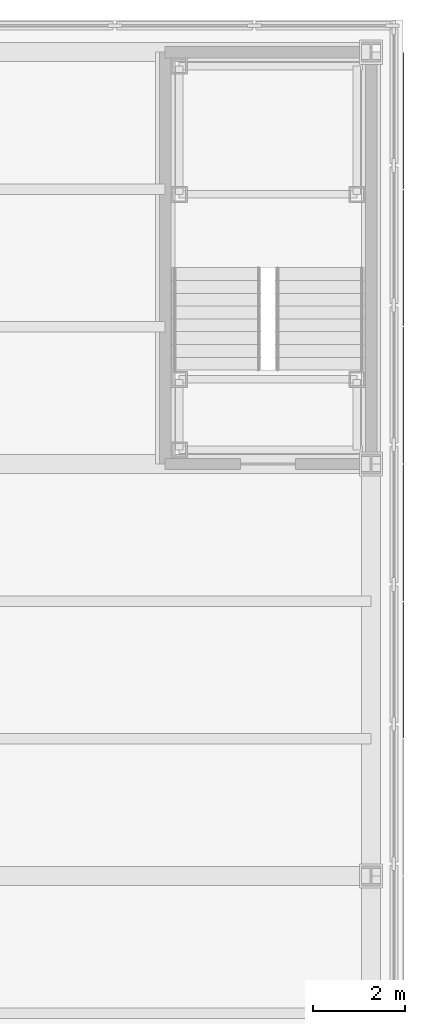
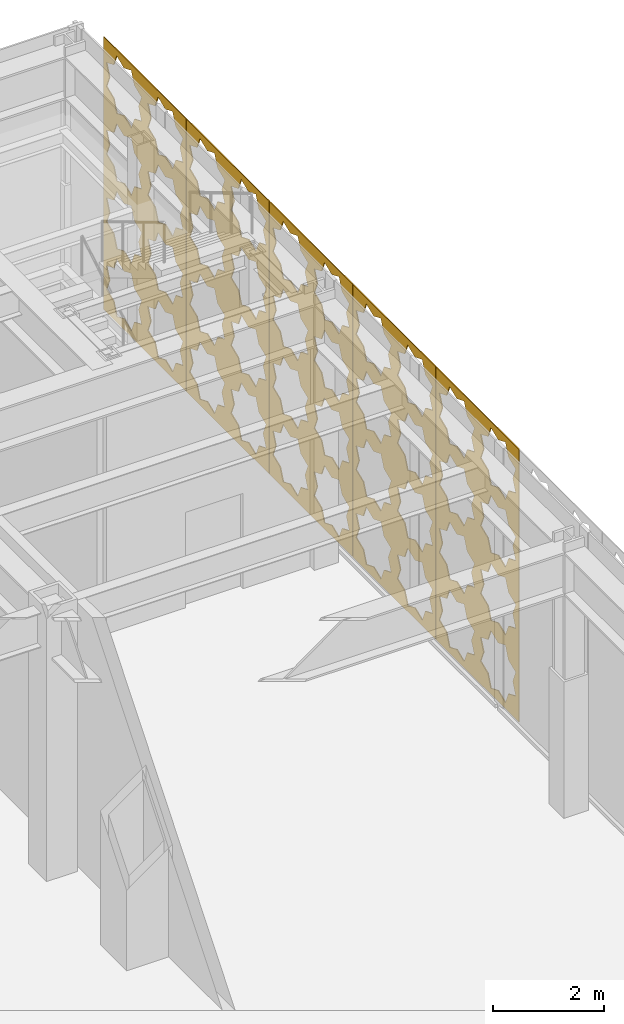
# One storey, part 32 of 32: 5 shading devices.
"""IFC4 building model written with IfcOpenShell, lengths in metres."""

from ifc_helpers import new_model, si_unit, direction, frame, origin, place, context, subcontext, project, spatial, polyline, outline, extrude, material, layer, layer_set, type_object, element, save


model = new_model("IFC4")

# Units and contexts
model_context = context("Model", 3, precision=1e-05, world=origin(), true_north=direction((0.0, 1.0)))
body_context = subcontext(model_context, "Body", "Model", "MODEL_VIEW")
ifc_project = project(units=[si_unit("LENGTHUNIT", "METRE"), si_unit("AREAUNIT", "SQUARE_METRE"), si_unit("VOLUMEUNIT", "CUBIC_METRE"), si_unit("PLANEANGLEUNIT", "RADIAN"), si_unit("MASSUNIT", "GRAM", prefix="KILO")], contexts=[model_context])

# Site, building, storey
site_placement = place(None, origin())
site = spatial("IfcSite", under=ifc_project, at=site_placement, CompositionType="ELEMENT")
building_placement = place(site_placement, origin())
building = spatial("IfcBuilding", under=site, at=building_placement, Name="Chuquiago Exchange Tower", CompositionType="ELEMENT")
storey_placement = place(building_placement, frame((0.0, 0.0, 13.5)))
storey = spatial("IfcBuildingStorey", under=building, at=storey_placement, Name="L02", CompositionType="ELEMENT", Elevation=13.5)

# Shading devices
ifc_material = material(Name="Pale metal, perforated in an eight-point star pattern", Category="aluminium")
ifc_layer = layer(ifc_material, 0.02001953125)
ifc_layer_set = layer_set([ifc_layer], Name="SC1 mashrabiya screen 20")
shading_device_type = type_object("IfcShadingDeviceType", Name="SC1 mashrabiya screen 20", PredefinedType="SHUTTER", material=ifc_layer_set)
shading_device_1_placement = place(storey_placement, frame((54.699951171875, 30.010009765625, -0.199951171875), z_axis=(0.0, 0.0, 1.0), x_axis=(0.0, 1.0, 0.0)))
element("IfcShadingDevice", 1, at=shading_device_1_placement, inside=storey, type_object=shading_device_type, Name="Mashrabiya screen L02 E 17", PredefinedType="SHUTTER", context=body_context, shape_type="SweptSolid", body=[
    extrude(outline(polyline([(0.0, 0.0), (2.97998046875, 0.0), (2.97998046875, 6.0), (0.0, 6.0), (0.0, 0.0)]), holes=[polyline([(1.26953125, 0.764892578125), (1.378173828125, 1.02734375), (1.115966796875, 1.135986328125), (1.00732421875, 1.398193359375), (0.7451171875, 1.28955078125), (0.482666015625, 1.398193359375), (0.3740234375, 1.135986328125), (0.11181640625, 1.02734375), (0.220458984375, 0.764892578125), (0.11181640625, 0.502685546875), (0.3740234375, 0.39404296875), (0.482666015625, 0.1318359375), (0.7451171875, 0.240234375), (1.00732421875, 0.1318359375), (1.115966796875, 0.39404296875), (1.378173828125, 0.502685546875), (1.26953125, 0.764892578125)]), polyline([(2.759521484375, 0.764892578125), (2.8681640625, 1.02734375), (2.60595703125, 1.135986328125), (2.497314453125, 1.398193359375), (2.235107421875, 1.28955078125), (1.97265625, 1.398193359375), (1.864013671875, 1.135986328125), (1.601806640625, 1.02734375), (1.71044921875, 0.764892578125), (1.601806640625, 0.502685546875), (1.864013671875, 0.39404296875), (1.97265625, 0.1318359375), (2.235107421875, 0.240234375), (2.497314453125, 0.1318359375), (2.60595703125, 0.39404296875), (2.8681640625, 0.502685546875), (2.759521484375, 0.764892578125)]), polyline([(1.26953125, 2.2548828125), (1.378173828125, 2.517333984375), (1.115966796875, 2.6259765625), (1.00732421875, 2.88818359375), (0.7451171875, 2.779541015625), (0.482666015625, 2.88818359375), (0.3740234375, 2.6259765625), (0.11181640625, 2.517333984375), (0.220458984375, 2.2548828125), (0.11181640625, 1.99267578125), (0.3740234375, 1.884033203125), (0.482666015625, 1.621826171875), (0.7451171875, 1.73046875), (1.00732421875, 1.621826171875), (1.115966796875, 1.884033203125), (1.378173828125, 1.99267578125), (1.26953125, 2.2548828125)]), polyline([(2.759521484375, 2.2548828125), (2.8681640625, 2.517333984375), (2.60595703125, 2.6259765625), (2.497314453125, 2.88818359375), (2.235107421875, 2.779541015625), (1.97265625, 2.88818359375), (1.864013671875, 2.6259765625), (1.601806640625, 2.517333984375), (1.71044921875, 2.2548828125), (1.601806640625, 1.99267578125), (1.864013671875, 1.884033203125), (1.97265625, 1.621826171875), (2.235107421875, 1.73046875), (2.497314453125, 1.621826171875), (2.60595703125, 1.884033203125), (2.8681640625, 1.99267578125), (2.759521484375, 2.2548828125)]), polyline([(1.26953125, 3.744873046875), (1.378173828125, 4.00732421875), (1.115966796875, 4.115966796875), (1.00732421875, 4.378173828125), (0.7451171875, 4.26953125), (0.482666015625, 4.378173828125), (0.3740234375, 4.115966796875), (0.11181640625, 4.00732421875), (0.220458984375, 3.744873046875), (0.11181640625, 3.482666015625), (0.3740234375, 3.3740234375), (0.482666015625, 3.11181640625), (0.7451171875, 3.220458984375), (1.00732421875, 3.11181640625), (1.115966796875, 3.3740234375), (1.378173828125, 3.482666015625), (1.26953125, 3.744873046875)]), polyline([(2.759521484375, 3.744873046875), (2.8681640625, 4.00732421875), (2.60595703125, 4.115966796875), (2.497314453125, 4.378173828125), (2.235107421875, 4.26953125), (1.97265625, 4.378173828125), (1.864013671875, 4.115966796875), (1.601806640625, 4.00732421875), (1.71044921875, 3.744873046875), (1.601806640625, 3.482666015625), (1.864013671875, 3.3740234375), (1.97265625, 3.11181640625), (2.235107421875, 3.220458984375), (2.497314453125, 3.11181640625), (2.60595703125, 3.3740234375), (2.8681640625, 3.482666015625), (2.759521484375, 3.744873046875)]), polyline([(1.26953125, 5.23486328125), (1.378173828125, 5.497314453125), (1.115966796875, 5.60595703125), (1.00732421875, 5.8681640625), (0.7451171875, 5.759521484375), (0.482666015625, 5.8681640625), (0.3740234375, 5.60595703125), (0.11181640625, 5.497314453125), (0.220458984375, 5.23486328125), (0.11181640625, 4.97265625), (0.3740234375, 4.864013671875), (0.482666015625, 4.601806640625), (0.7451171875, 4.71044921875), (1.00732421875, 4.601806640625), (1.115966796875, 4.864013671875), (1.378173828125, 4.97265625), (1.26953125, 5.23486328125)]), polyline([(2.759521484375, 5.23486328125), (2.8681640625, 5.497314453125), (2.60595703125, 5.60595703125), (2.497314453125, 5.8681640625), (2.235107421875, 5.759521484375), (1.97265625, 5.8681640625), (1.864013671875, 5.60595703125), (1.601806640625, 5.497314453125), (1.71044921875, 5.23486328125), (1.601806640625, 4.97265625), (1.864013671875, 4.864013671875), (1.97265625, 4.601806640625), (2.235107421875, 4.71044921875), (2.497314453125, 4.601806640625), (2.60595703125, 4.864013671875), (2.8681640625, 4.97265625), (2.759521484375, 5.23486328125)])]), frame((0.0, 0.0, 0.0), z_axis=(0.0, -1.0, 0.0), x_axis=(1.0, 0.0, 0.0)), (0.0, 0.0, 1.0), 0.02001953125),
])
shading_device_2_placement = place(storey_placement, frame((54.699951171875, 33.010009765625, -0.199951171875), z_axis=(0.0, 0.0, 1.0), x_axis=(0.0, 1.0, 0.0)))
element("IfcShadingDevice", 2, at=shading_device_2_placement, inside=storey, type_object=shading_device_type, Name="Mashrabiya screen L02 E 18", PredefinedType="SHUTTER", context=body_context, shape_type="SweptSolid", body=[
    extrude(outline(polyline([(0.0, 0.0), (2.97998046875, 0.0), (2.97998046875, 6.0), (0.0, 6.0), (0.0, 0.0)]), holes=[polyline([(1.26953125, 0.764892578125), (1.378173828125, 1.02734375), (1.115966796875, 1.135986328125), (1.00732421875, 1.398193359375), (0.7451171875, 1.28955078125), (0.482666015625, 1.398193359375), (0.3740234375, 1.135986328125), (0.11181640625, 1.02734375), (0.220458984375, 0.764892578125), (0.11181640625, 0.502685546875), (0.3740234375, 0.39404296875), (0.482666015625, 0.1318359375), (0.7451171875, 0.240234375), (1.00732421875, 0.1318359375), (1.115966796875, 0.39404296875), (1.378173828125, 0.502685546875), (1.26953125, 0.764892578125)]), polyline([(2.759521484375, 0.764892578125), (2.8681640625, 1.02734375), (2.60595703125, 1.135986328125), (2.497314453125, 1.398193359375), (2.235107421875, 1.28955078125), (1.97265625, 1.398193359375), (1.864013671875, 1.135986328125), (1.601806640625, 1.02734375), (1.71044921875, 0.764892578125), (1.601806640625, 0.502685546875), (1.864013671875, 0.39404296875), (1.97265625, 0.1318359375), (2.235107421875, 0.240234375), (2.497314453125, 0.1318359375), (2.60595703125, 0.39404296875), (2.8681640625, 0.502685546875), (2.759521484375, 0.764892578125)]), polyline([(1.26953125, 2.2548828125), (1.378173828125, 2.517333984375), (1.115966796875, 2.6259765625), (1.00732421875, 2.88818359375), (0.7451171875, 2.779541015625), (0.482666015625, 2.88818359375), (0.3740234375, 2.6259765625), (0.11181640625, 2.517333984375), (0.220458984375, 2.2548828125), (0.11181640625, 1.99267578125), (0.3740234375, 1.884033203125), (0.482666015625, 1.621826171875), (0.7451171875, 1.73046875), (1.00732421875, 1.621826171875), (1.115966796875, 1.884033203125), (1.378173828125, 1.99267578125), (1.26953125, 2.2548828125)]), polyline([(2.759521484375, 2.2548828125), (2.8681640625, 2.517333984375), (2.60595703125, 2.6259765625), (2.497314453125, 2.88818359375), (2.235107421875, 2.779541015625), (1.97265625, 2.88818359375), (1.864013671875, 2.6259765625), (1.601806640625, 2.517333984375), (1.71044921875, 2.2548828125), (1.601806640625, 1.99267578125), (1.864013671875, 1.884033203125), (1.97265625, 1.621826171875), (2.235107421875, 1.73046875), (2.497314453125, 1.621826171875), (2.60595703125, 1.884033203125), (2.8681640625, 1.99267578125), (2.759521484375, 2.2548828125)]), polyline([(1.26953125, 3.744873046875), (1.378173828125, 4.00732421875), (1.115966796875, 4.115966796875), (1.00732421875, 4.378173828125), (0.7451171875, 4.26953125), (0.482666015625, 4.378173828125), (0.3740234375, 4.115966796875), (0.11181640625, 4.00732421875), (0.220458984375, 3.744873046875), (0.11181640625, 3.482666015625), (0.3740234375, 3.3740234375), (0.482666015625, 3.11181640625), (0.7451171875, 3.220458984375), (1.00732421875, 3.11181640625), (1.115966796875, 3.3740234375), (1.378173828125, 3.482666015625), (1.26953125, 3.744873046875)]), polyline([(2.759521484375, 3.744873046875), (2.8681640625, 4.00732421875), (2.60595703125, 4.115966796875), (2.497314453125, 4.378173828125), (2.235107421875, 4.26953125), (1.97265625, 4.378173828125), (1.864013671875, 4.115966796875), (1.601806640625, 4.00732421875), (1.71044921875, 3.744873046875), (1.601806640625, 3.482666015625), (1.864013671875, 3.3740234375), (1.97265625, 3.11181640625), (2.235107421875, 3.220458984375), (2.497314453125, 3.11181640625), (2.60595703125, 3.3740234375), (2.8681640625, 3.482666015625), (2.759521484375, 3.744873046875)]), polyline([(1.26953125, 5.23486328125), (1.378173828125, 5.497314453125), (1.115966796875, 5.60595703125), (1.00732421875, 5.8681640625), (0.7451171875, 5.759521484375), (0.482666015625, 5.8681640625), (0.3740234375, 5.60595703125), (0.11181640625, 5.497314453125), (0.220458984375, 5.23486328125), (0.11181640625, 4.97265625), (0.3740234375, 4.864013671875), (0.482666015625, 4.601806640625), (0.7451171875, 4.71044921875), (1.00732421875, 4.601806640625), (1.115966796875, 4.864013671875), (1.378173828125, 4.97265625), (1.26953125, 5.23486328125)]), polyline([(2.759521484375, 5.23486328125), (2.8681640625, 5.497314453125), (2.60595703125, 5.60595703125), (2.497314453125, 5.8681640625), (2.235107421875, 5.759521484375), (1.97265625, 5.8681640625), (1.864013671875, 5.60595703125), (1.601806640625, 5.497314453125), (1.71044921875, 5.23486328125), (1.601806640625, 4.97265625), (1.864013671875, 4.864013671875), (1.97265625, 4.601806640625), (2.235107421875, 4.71044921875), (2.497314453125, 4.601806640625), (2.60595703125, 4.864013671875), (2.8681640625, 4.97265625), (2.759521484375, 5.23486328125)])]), frame((0.0, 0.0, 0.0), z_axis=(0.0, -1.0, 0.0), x_axis=(1.0, 0.0, 0.0)), (0.0, 0.0, 1.0), 0.02001953125),
])
shading_device_3_placement = place(storey_placement, frame((54.699951171875, 36.010009765625, -0.199951171875), z_axis=(0.0, 0.0, 1.0), x_axis=(0.0, 1.0, 0.0)))
element("IfcShadingDevice", 3, at=shading_device_3_placement, inside=storey, type_object=shading_device_type, Name="Mashrabiya screen L02 E 19", PredefinedType="SHUTTER", context=body_context, shape_type="SweptSolid", body=[
    extrude(outline(polyline([(0.0, 0.0), (2.97998046875, 0.0), (2.97998046875, 6.0), (0.0, 6.0), (0.0, 0.0)]), holes=[polyline([(1.26953125, 0.764892578125), (1.378173828125, 1.02734375), (1.115966796875, 1.135986328125), (1.00732421875, 1.398193359375), (0.7451171875, 1.28955078125), (0.482666015625, 1.398193359375), (0.3740234375, 1.135986328125), (0.11181640625, 1.02734375), (0.220458984375, 0.764892578125), (0.11181640625, 0.502685546875), (0.3740234375, 0.39404296875), (0.482666015625, 0.1318359375), (0.7451171875, 0.240234375), (1.00732421875, 0.1318359375), (1.115966796875, 0.39404296875), (1.378173828125, 0.502685546875), (1.26953125, 0.764892578125)]), polyline([(2.759521484375, 0.764892578125), (2.8681640625, 1.02734375), (2.60595703125, 1.135986328125), (2.497314453125, 1.398193359375), (2.235107421875, 1.28955078125), (1.97265625, 1.398193359375), (1.864013671875, 1.135986328125), (1.601806640625, 1.02734375), (1.71044921875, 0.764892578125), (1.601806640625, 0.502685546875), (1.864013671875, 0.39404296875), (1.97265625, 0.1318359375), (2.235107421875, 0.240234375), (2.497314453125, 0.1318359375), (2.60595703125, 0.39404296875), (2.8681640625, 0.502685546875), (2.759521484375, 0.764892578125)]), polyline([(1.26953125, 2.2548828125), (1.378173828125, 2.517333984375), (1.115966796875, 2.6259765625), (1.00732421875, 2.88818359375), (0.7451171875, 2.779541015625), (0.482666015625, 2.88818359375), (0.3740234375, 2.6259765625), (0.11181640625, 2.517333984375), (0.220458984375, 2.2548828125), (0.11181640625, 1.99267578125), (0.3740234375, 1.884033203125), (0.482666015625, 1.621826171875), (0.7451171875, 1.73046875), (1.00732421875, 1.621826171875), (1.115966796875, 1.884033203125), (1.378173828125, 1.99267578125), (1.26953125, 2.2548828125)]), polyline([(2.759521484375, 2.2548828125), (2.8681640625, 2.517333984375), (2.60595703125, 2.6259765625), (2.497314453125, 2.88818359375), (2.235107421875, 2.779541015625), (1.97265625, 2.88818359375), (1.864013671875, 2.6259765625), (1.601806640625, 2.517333984375), (1.71044921875, 2.2548828125), (1.601806640625, 1.99267578125), (1.864013671875, 1.884033203125), (1.97265625, 1.621826171875), (2.235107421875, 1.73046875), (2.497314453125, 1.621826171875), (2.60595703125, 1.884033203125), (2.8681640625, 1.99267578125), (2.759521484375, 2.2548828125)]), polyline([(1.26953125, 3.744873046875), (1.378173828125, 4.00732421875), (1.115966796875, 4.115966796875), (1.00732421875, 4.378173828125), (0.7451171875, 4.26953125), (0.482666015625, 4.378173828125), (0.3740234375, 4.115966796875), (0.11181640625, 4.00732421875), (0.220458984375, 3.744873046875), (0.11181640625, 3.482666015625), (0.3740234375, 3.3740234375), (0.482666015625, 3.11181640625), (0.7451171875, 3.220458984375), (1.00732421875, 3.11181640625), (1.115966796875, 3.3740234375), (1.378173828125, 3.482666015625), (1.26953125, 3.744873046875)]), polyline([(2.759521484375, 3.744873046875), (2.8681640625, 4.00732421875), (2.60595703125, 4.115966796875), (2.497314453125, 4.378173828125), (2.235107421875, 4.26953125), (1.97265625, 4.378173828125), (1.864013671875, 4.115966796875), (1.601806640625, 4.00732421875), (1.71044921875, 3.744873046875), (1.601806640625, 3.482666015625), (1.864013671875, 3.3740234375), (1.97265625, 3.11181640625), (2.235107421875, 3.220458984375), (2.497314453125, 3.11181640625), (2.60595703125, 3.3740234375), (2.8681640625, 3.482666015625), (2.759521484375, 3.744873046875)]), polyline([(1.26953125, 5.23486328125), (1.378173828125, 5.497314453125), (1.115966796875, 5.60595703125), (1.00732421875, 5.8681640625), (0.7451171875, 5.759521484375), (0.482666015625, 5.8681640625), (0.3740234375, 5.60595703125), (0.11181640625, 5.497314453125), (0.220458984375, 5.23486328125), (0.11181640625, 4.97265625), (0.3740234375, 4.864013671875), (0.482666015625, 4.601806640625), (0.7451171875, 4.71044921875), (1.00732421875, 4.601806640625), (1.115966796875, 4.864013671875), (1.378173828125, 4.97265625), (1.26953125, 5.23486328125)]), polyline([(2.759521484375, 5.23486328125), (2.8681640625, 5.497314453125), (2.60595703125, 5.60595703125), (2.497314453125, 5.8681640625), (2.235107421875, 5.759521484375), (1.97265625, 5.8681640625), (1.864013671875, 5.60595703125), (1.601806640625, 5.497314453125), (1.71044921875, 5.23486328125), (1.601806640625, 4.97265625), (1.864013671875, 4.864013671875), (1.97265625, 4.601806640625), (2.235107421875, 4.71044921875), (2.497314453125, 4.601806640625), (2.60595703125, 4.864013671875), (2.8681640625, 4.97265625), (2.759521484375, 5.23486328125)])]), frame((0.0, 0.0, 0.0), z_axis=(0.0, -1.0, 0.0), x_axis=(1.0, 0.0, 0.0)), (0.0, 0.0, 1.0), 0.02001953125),
])
shading_device_4_placement = place(storey_placement, frame((54.699951171875, 39.010009765625, -0.199951171875), z_axis=(0.0, 0.0, 1.0), x_axis=(0.0, 1.0, 0.0)))
element("IfcShadingDevice", 4, at=shading_device_4_placement, inside=storey, type_object=shading_device_type, Name="Mashrabiya screen L02 E 20", PredefinedType="SHUTTER", context=body_context, shape_type="SweptSolid", body=[
    extrude(outline(polyline([(0.0, 0.0), (2.97998046875, 0.0), (2.97998046875, 6.0), (0.0, 6.0), (0.0, 0.0)]), holes=[polyline([(1.26953125, 0.764892578125), (1.378173828125, 1.02734375), (1.115966796875, 1.135986328125), (1.00732421875, 1.398193359375), (0.7451171875, 1.28955078125), (0.482666015625, 1.398193359375), (0.3740234375, 1.135986328125), (0.11181640625, 1.02734375), (0.220458984375, 0.764892578125), (0.11181640625, 0.502685546875), (0.3740234375, 0.39404296875), (0.482666015625, 0.1318359375), (0.7451171875, 0.240234375), (1.00732421875, 0.1318359375), (1.115966796875, 0.39404296875), (1.378173828125, 0.502685546875), (1.26953125, 0.764892578125)]), polyline([(2.759521484375, 0.764892578125), (2.8681640625, 1.02734375), (2.60595703125, 1.135986328125), (2.497314453125, 1.398193359375), (2.235107421875, 1.28955078125), (1.97265625, 1.398193359375), (1.864013671875, 1.135986328125), (1.601806640625, 1.02734375), (1.71044921875, 0.764892578125), (1.601806640625, 0.502685546875), (1.864013671875, 0.39404296875), (1.97265625, 0.1318359375), (2.235107421875, 0.240234375), (2.497314453125, 0.1318359375), (2.60595703125, 0.39404296875), (2.8681640625, 0.502685546875), (2.759521484375, 0.764892578125)]), polyline([(1.26953125, 2.2548828125), (1.378173828125, 2.517333984375), (1.115966796875, 2.6259765625), (1.00732421875, 2.88818359375), (0.7451171875, 2.779541015625), (0.482666015625, 2.88818359375), (0.3740234375, 2.6259765625), (0.11181640625, 2.517333984375), (0.220458984375, 2.2548828125), (0.11181640625, 1.99267578125), (0.3740234375, 1.884033203125), (0.482666015625, 1.621826171875), (0.7451171875, 1.73046875), (1.00732421875, 1.621826171875), (1.115966796875, 1.884033203125), (1.378173828125, 1.99267578125), (1.26953125, 2.2548828125)]), polyline([(2.759521484375, 2.2548828125), (2.8681640625, 2.517333984375), (2.60595703125, 2.6259765625), (2.497314453125, 2.88818359375), (2.235107421875, 2.779541015625), (1.97265625, 2.88818359375), (1.864013671875, 2.6259765625), (1.601806640625, 2.517333984375), (1.71044921875, 2.2548828125), (1.601806640625, 1.99267578125), (1.864013671875, 1.884033203125), (1.97265625, 1.621826171875), (2.235107421875, 1.73046875), (2.497314453125, 1.621826171875), (2.60595703125, 1.884033203125), (2.8681640625, 1.99267578125), (2.759521484375, 2.2548828125)]), polyline([(1.26953125, 3.744873046875), (1.378173828125, 4.00732421875), (1.115966796875, 4.115966796875), (1.00732421875, 4.378173828125), (0.7451171875, 4.26953125), (0.482666015625, 4.378173828125), (0.3740234375, 4.115966796875), (0.11181640625, 4.00732421875), (0.220458984375, 3.744873046875), (0.11181640625, 3.482666015625), (0.3740234375, 3.3740234375), (0.482666015625, 3.11181640625), (0.7451171875, 3.220458984375), (1.00732421875, 3.11181640625), (1.115966796875, 3.3740234375), (1.378173828125, 3.482666015625), (1.26953125, 3.744873046875)]), polyline([(2.759521484375, 3.744873046875), (2.8681640625, 4.00732421875), (2.60595703125, 4.115966796875), (2.497314453125, 4.378173828125), (2.235107421875, 4.26953125), (1.97265625, 4.378173828125), (1.864013671875, 4.115966796875), (1.601806640625, 4.00732421875), (1.71044921875, 3.744873046875), (1.601806640625, 3.482666015625), (1.864013671875, 3.3740234375), (1.97265625, 3.11181640625), (2.235107421875, 3.220458984375), (2.497314453125, 3.11181640625), (2.60595703125, 3.3740234375), (2.8681640625, 3.482666015625), (2.759521484375, 3.744873046875)]), polyline([(1.26953125, 5.23486328125), (1.378173828125, 5.497314453125), (1.115966796875, 5.60595703125), (1.00732421875, 5.8681640625), (0.7451171875, 5.759521484375), (0.482666015625, 5.8681640625), (0.3740234375, 5.60595703125), (0.11181640625, 5.497314453125), (0.220458984375, 5.23486328125), (0.11181640625, 4.97265625), (0.3740234375, 4.864013671875), (0.482666015625, 4.601806640625), (0.7451171875, 4.71044921875), (1.00732421875, 4.601806640625), (1.115966796875, 4.864013671875), (1.378173828125, 4.97265625), (1.26953125, 5.23486328125)]), polyline([(2.759521484375, 5.23486328125), (2.8681640625, 5.497314453125), (2.60595703125, 5.60595703125), (2.497314453125, 5.8681640625), (2.235107421875, 5.759521484375), (1.97265625, 5.8681640625), (1.864013671875, 5.60595703125), (1.601806640625, 5.497314453125), (1.71044921875, 5.23486328125), (1.601806640625, 4.97265625), (1.864013671875, 4.864013671875), (1.97265625, 4.601806640625), (2.235107421875, 4.71044921875), (2.497314453125, 4.601806640625), (2.60595703125, 4.864013671875), (2.8681640625, 4.97265625), (2.759521484375, 5.23486328125)])]), frame((0.0, 0.0, 0.0), z_axis=(0.0, -1.0, 0.0), x_axis=(1.0, 0.0, 0.0)), (0.0, 0.0, 1.0), 0.02001953125),
])
shading_device_5_placement = place(storey_placement, frame((54.699951171875, 42.010009765625, -0.199951171875), z_axis=(0.0, 0.0, 1.0), x_axis=(0.0, 1.0, 0.0)))
element("IfcShadingDevice", 5, at=shading_device_5_placement, inside=storey, type_object=shading_device_type, Name="Mashrabiya screen L02 E 21", PredefinedType="SHUTTER", context=body_context, shape_type="SweptSolid", body=[
    extrude(outline(polyline([(0.0, 0.0), (2.97998046875, 0.0), (2.97998046875, 6.0), (0.0, 6.0), (0.0, 0.0)]), holes=[polyline([(1.26953125, 0.764892578125), (1.378173828125, 1.02734375), (1.115966796875, 1.135986328125), (1.00732421875, 1.398193359375), (0.7451171875, 1.28955078125), (0.482666015625, 1.398193359375), (0.3740234375, 1.135986328125), (0.11181640625, 1.02734375), (0.220458984375, 0.764892578125), (0.11181640625, 0.502685546875), (0.3740234375, 0.39404296875), (0.482666015625, 0.1318359375), (0.7451171875, 0.240234375), (1.00732421875, 0.1318359375), (1.115966796875, 0.39404296875), (1.378173828125, 0.502685546875), (1.26953125, 0.764892578125)]), polyline([(2.759521484375, 0.764892578125), (2.8681640625, 1.02734375), (2.60595703125, 1.135986328125), (2.497314453125, 1.398193359375), (2.235107421875, 1.28955078125), (1.97265625, 1.398193359375), (1.864013671875, 1.135986328125), (1.601806640625, 1.02734375), (1.71044921875, 0.764892578125), (1.601806640625, 0.502685546875), (1.864013671875, 0.39404296875), (1.97265625, 0.1318359375), (2.235107421875, 0.240234375), (2.497314453125, 0.1318359375), (2.60595703125, 0.39404296875), (2.8681640625, 0.502685546875), (2.759521484375, 0.764892578125)]), polyline([(1.26953125, 2.2548828125), (1.378173828125, 2.517333984375), (1.115966796875, 2.6259765625), (1.00732421875, 2.88818359375), (0.7451171875, 2.779541015625), (0.482666015625, 2.88818359375), (0.3740234375, 2.6259765625), (0.11181640625, 2.517333984375), (0.220458984375, 2.2548828125), (0.11181640625, 1.99267578125), (0.3740234375, 1.884033203125), (0.482666015625, 1.621826171875), (0.7451171875, 1.73046875), (1.00732421875, 1.621826171875), (1.115966796875, 1.884033203125), (1.378173828125, 1.99267578125), (1.26953125, 2.2548828125)]), polyline([(2.759521484375, 2.2548828125), (2.8681640625, 2.517333984375), (2.60595703125, 2.6259765625), (2.497314453125, 2.88818359375), (2.235107421875, 2.779541015625), (1.97265625, 2.88818359375), (1.864013671875, 2.6259765625), (1.601806640625, 2.517333984375), (1.71044921875, 2.2548828125), (1.601806640625, 1.99267578125), (1.864013671875, 1.884033203125), (1.97265625, 1.621826171875), (2.235107421875, 1.73046875), (2.497314453125, 1.621826171875), (2.60595703125, 1.884033203125), (2.8681640625, 1.99267578125), (2.759521484375, 2.2548828125)]), polyline([(1.26953125, 3.744873046875), (1.378173828125, 4.00732421875), (1.115966796875, 4.115966796875), (1.00732421875, 4.378173828125), (0.7451171875, 4.26953125), (0.482666015625, 4.378173828125), (0.3740234375, 4.115966796875), (0.11181640625, 4.00732421875), (0.220458984375, 3.744873046875), (0.11181640625, 3.482666015625), (0.3740234375, 3.3740234375), (0.482666015625, 3.11181640625), (0.7451171875, 3.220458984375), (1.00732421875, 3.11181640625), (1.115966796875, 3.3740234375), (1.378173828125, 3.482666015625), (1.26953125, 3.744873046875)]), polyline([(2.759521484375, 3.744873046875), (2.8681640625, 4.00732421875), (2.60595703125, 4.115966796875), (2.497314453125, 4.378173828125), (2.235107421875, 4.26953125), (1.97265625, 4.378173828125), (1.864013671875, 4.115966796875), (1.601806640625, 4.00732421875), (1.71044921875, 3.744873046875), (1.601806640625, 3.482666015625), (1.864013671875, 3.3740234375), (1.97265625, 3.11181640625), (2.235107421875, 3.220458984375), (2.497314453125, 3.11181640625), (2.60595703125, 3.3740234375), (2.8681640625, 3.482666015625), (2.759521484375, 3.744873046875)]), polyline([(1.26953125, 5.23486328125), (1.378173828125, 5.497314453125), (1.115966796875, 5.60595703125), (1.00732421875, 5.8681640625), (0.7451171875, 5.759521484375), (0.482666015625, 5.8681640625), (0.3740234375, 5.60595703125), (0.11181640625, 5.497314453125), (0.220458984375, 5.23486328125), (0.11181640625, 4.97265625), (0.3740234375, 4.864013671875), (0.482666015625, 4.601806640625), (0.7451171875, 4.71044921875), (1.00732421875, 4.601806640625), (1.115966796875, 4.864013671875), (1.378173828125, 4.97265625), (1.26953125, 5.23486328125)]), polyline([(2.759521484375, 5.23486328125), (2.8681640625, 5.497314453125), (2.60595703125, 5.60595703125), (2.497314453125, 5.8681640625), (2.235107421875, 5.759521484375), (1.97265625, 5.8681640625), (1.864013671875, 5.60595703125), (1.601806640625, 5.497314453125), (1.71044921875, 5.23486328125), (1.601806640625, 4.97265625), (1.864013671875, 4.864013671875), (1.97265625, 4.601806640625), (2.235107421875, 4.71044921875), (2.497314453125, 4.601806640625), (2.60595703125, 4.864013671875), (2.8681640625, 4.97265625), (2.759521484375, 5.23486328125)])]), frame((0.0, 0.0, 0.0), z_axis=(0.0, -1.0, 0.0), x_axis=(1.0, 0.0, 0.0)), (0.0, 0.0, 1.0), 0.02001953125),
])

save(model, "model.ifc")
